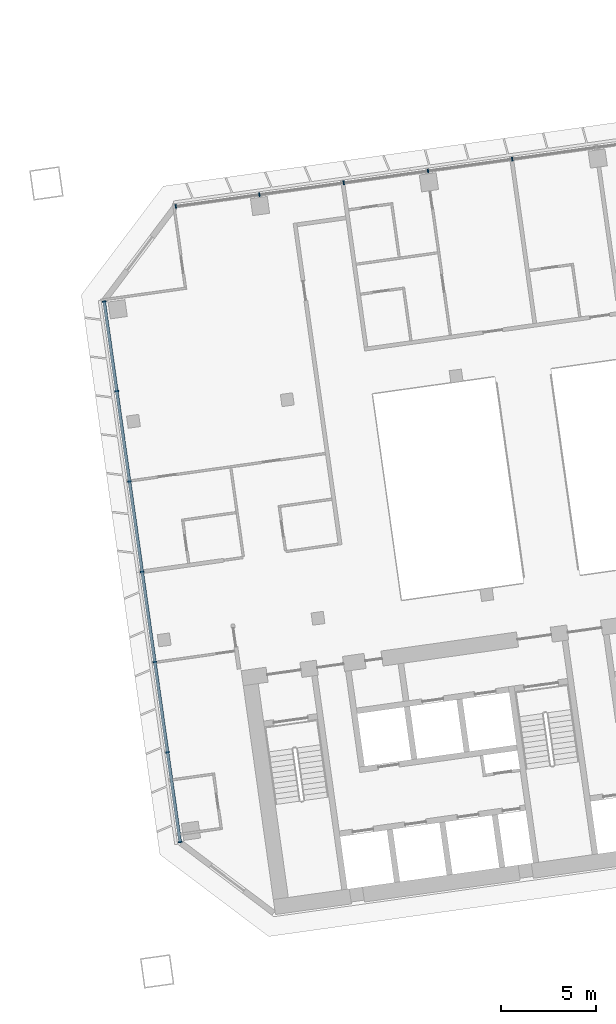
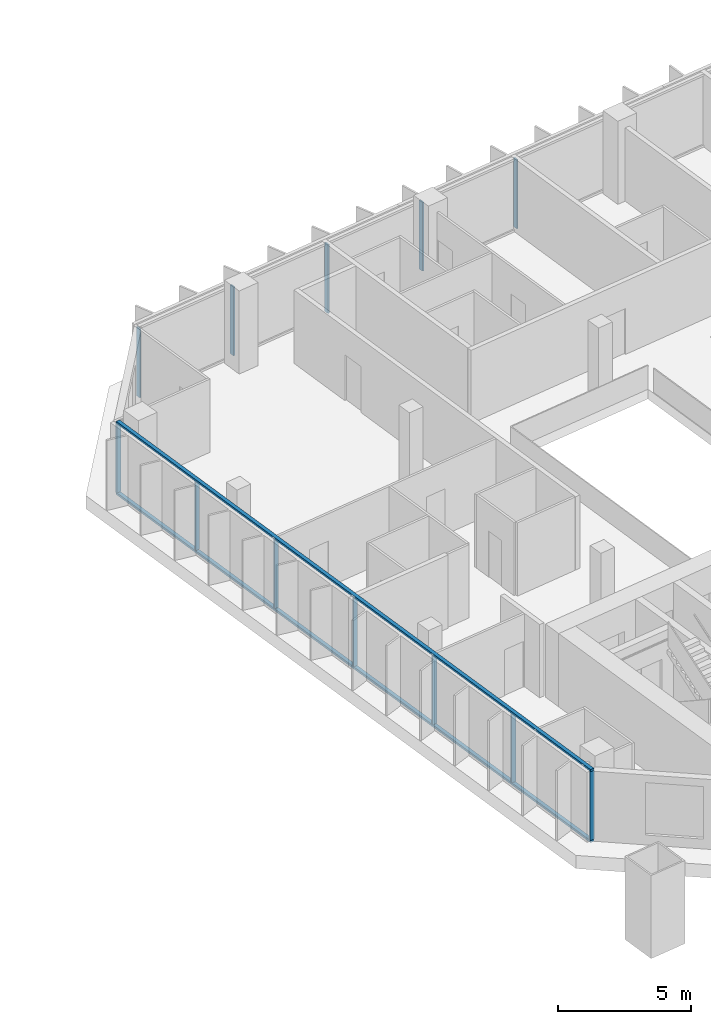
# One storey, part 7 of 24: 14 members, 2 elements without a shape of their own.
"""IFC4 building model written with IfcOpenShell, lengths in metres."""

from ifc_helpers import new_model, si_unit, direction, frame, origin, origin_2d, place, context, subcontext, project, spatial, rectangle, extrude, material, material_profile, profile_set, type_object, element, aggregate, save


model = new_model("IFC4")

# Units and contexts
model_context = context("Model", 3, precision=1e-05, world=origin(), true_north=direction((0.0, 1.0)))
body_context = subcontext(model_context, "Body", "Model", "MODEL_VIEW")
ifc_project = project(units=[si_unit("LENGTHUNIT", "METRE"), si_unit("AREAUNIT", "SQUARE_METRE"), si_unit("VOLUMEUNIT", "CUBIC_METRE"), si_unit("PLANEANGLEUNIT", "RADIAN"), si_unit("MASSUNIT", "GRAM", prefix="KILO")], contexts=[model_context])

# Site, building, storey
site_placement = place(None, origin())
site = spatial("IfcSite", under=ifc_project, at=site_placement, CompositionType="ELEMENT")
building_placement = place(site_placement, origin())
building = spatial("IfcBuilding", under=site, at=building_placement, Name="Mirante Cascada Hotel Towers", CompositionType="ELEMENT")
storey_placement = place(building_placement, frame((0.0, 0.0, 110.1)))
storey = spatial("IfcBuildingStorey", under=building, at=storey_placement, Name="L24", CompositionType="ELEMENT", Elevation=110.1)

# Curtain wall, members
ifc_material_1 = material(Name="Aluminium mullion and transom frame with clear laminated glass", Category="aluminium")
curtain_wall_type_1 = type_object("IfcCurtainWallType", Name="Ribbon curtain wall ECW1", PredefinedType="NOTDEFINED", material=ifc_material_1)
curtain_wall_1_placement = place(storey_placement, origin())
curtain_wall_1 = element("IfcCurtainWall", 1, at=curtain_wall_1_placement, inside=storey, type_object=curtain_wall_type_1, Name="Front ribbon wall T2 L24", PredefinedType="NOTDEFINED")
ifc_material_2 = material(Name="Anodised aluminium extrusion", Category="aluminium")
ifc_material_profile_1 = material_profile(ifc_material_2, rectangle(XDim=0.2, YDim=0.065, at=origin_2d()), Name="ECW1 MULLION 65x200")
ifc_profile_set_1 = profile_set([ifc_material_profile_1], Name="Anodised aluminium extrusion")
member_type_1 = type_object("IfcMemberType", Name="ECW1 mullion 65x200", PredefinedType="MULLION", material=ifc_profile_set_1)
member_1_placement = place(storey_placement, frame((49.684, 19.8017, 0.1), z_axis=(0.0, 0.0, 1.0), x_axis=(0.1391731, -0.9902681, 0.0)))
member_1 = element("IfcMember", 2, at=member_1_placement, type_object=member_type_1, Name="ECW1 mullion 11", PredefinedType="MULLION", context=body_context, shape_type="SweptSolid", body=[
    extrude(rectangle(XDim=0.2, YDim=0.065, at=origin_2d()), origin(), (0.0, 0.0, 1.0), 3.15),
])
member_2_placement = place(storey_placement, frame((45.2366, 19.1766, 0.1), z_axis=(0.0, 0.0, 1.0), x_axis=(0.1391731, -0.9902681, 0.0)))
member_2 = element("IfcMember", 3, at=member_2_placement, type_object=member_type_1, Name="ECW1 mullion 12", PredefinedType="MULLION", context=body_context, shape_type="SweptSolid", body=[
    extrude(rectangle(XDim=0.2, YDim=0.065, at=origin_2d()), origin(), (0.0, 0.0, 1.0), 3.15),
])
member_3_placement = place(storey_placement, frame((40.7892, 18.5516, 0.1), z_axis=(0.0, 0.0, 1.0), x_axis=(0.1391731, -0.9902681, 0.0)))
member_3 = element("IfcMember", 4, at=member_3_placement, type_object=member_type_1, Name="ECW1 mullion 13", PredefinedType="MULLION", context=body_context, shape_type="SweptSolid", body=[
    extrude(rectangle(XDim=0.2, YDim=0.065, at=origin_2d()), origin(), (0.0, 0.0, 1.0), 3.15),
])
member_4_placement = place(storey_placement, frame((36.3417, 17.9265, 0.1), z_axis=(0.0, 0.0, 1.0), x_axis=(0.1391731, -0.9902681, 0.0)))
member_4 = element("IfcMember", 5, at=member_4_placement, type_object=member_type_1, Name="ECW1 mullion 14", PredefinedType="MULLION", context=body_context, shape_type="SweptSolid", body=[
    extrude(rectangle(XDim=0.2, YDim=0.065, at=origin_2d()), origin(), (0.0, 0.0, 1.0), 3.15),
])
member_5_placement = place(storey_placement, frame((31.9265, 17.306, 0.1), z_axis=(0.0, 0.0, 1.0), x_axis=(0.1391731, -0.9902681, 0.0)))
member_5 = element("IfcMember", 6, at=member_5_placement, type_object=member_type_1, Name="ECW1 mullion 15", PredefinedType="MULLION", context=body_context, shape_type="SweptSolid", body=[
    extrude(rectangle(XDim=0.2, YDim=0.065, at=origin_2d()), origin(), (0.0, 0.0, 1.0), 3.15),
])
aggregate(curtain_wall_1, [member_1, member_2, member_3, member_4, member_5])

ifc_material_3 = material(Name="Aluminium mullion and transom frame with clear laminated glass", Category="aluminium")
curtain_wall_type_2 = type_object("IfcCurtainWallType", Name="End ribbon curtain wall ECW2", PredefinedType="NOTDEFINED", material=ifc_material_3)
curtain_wall_2_placement = place(storey_placement, origin())
curtain_wall_2 = element("IfcCurtainWall", 7, at=curtain_wall_2_placement, inside=storey, type_object=curtain_wall_type_2, Name="Inner end wall T2 L24", PredefinedType="NOTDEFINED")
ifc_material_4 = material(Name="Anodised aluminium extrusion", Category="aluminium")
ifc_material_profile_2 = material_profile(ifc_material_4, rectangle(XDim=0.2, YDim=0.065, at=origin_2d()), Name="ECW2 MULLION 65x200")
ifc_profile_set_2 = profile_set([ifc_material_profile_2], Name="Anodised aluminium extrusion")
member_type_2 = type_object("IfcMemberType", Name="ECW2 mullion 65x200", PredefinedType="MULLION", material=ifc_profile_set_2)
member_6_placement = place(storey_placement, frame((28.1437, 12.2861, 0.1), z_axis=(0.0, 0.0, 1.0), x_axis=(0.9902681, 0.1391731, 0.0)))
member_6 = element("IfcMember", 8, at=member_6_placement, type_object=member_type_2, Name="ECW2 mullion 1", PredefinedType="MULLION", context=body_context, shape_type="SweptSolid", body=[
    extrude(rectangle(XDim=0.2, YDim=0.065, at=origin_2d()), origin(), (0.0, 0.0, 1.0), 3.15),
])
member_7_placement = place(storey_placement, frame((28.809, 7.5524, 0.1), z_axis=(0.0, 0.0, 1.0), x_axis=(0.9902681, 0.1391731, 0.0)))
member_7 = element("IfcMember", 9, at=member_7_placement, type_object=member_type_2, Name="ECW2 mullion 2", PredefinedType="MULLION", context=body_context, shape_type="SweptSolid", body=[
    extrude(rectangle(XDim=0.2, YDim=0.065, at=origin_2d()), origin(), (0.0, 0.0, 1.0), 3.15),
])
member_8_placement = place(storey_placement, frame((29.4788, 2.7867, 0.1), z_axis=(0.0, 0.0, 1.0), x_axis=(0.9902681, 0.1391731, 0.0)))
member_8 = element("IfcMember", 10, at=member_8_placement, type_object=member_type_2, Name="ECW2 mullion 3", PredefinedType="MULLION", context=body_context, shape_type="SweptSolid", body=[
    extrude(rectangle(XDim=0.2, YDim=0.065, at=origin_2d()), origin(), (0.0, 0.0, 1.0), 3.15),
])
member_9_placement = place(storey_placement, frame((30.1485, -1.9791, 0.1), z_axis=(0.0, 0.0, 1.0), x_axis=(0.9902681, 0.1391731, 0.0)))
member_9 = element("IfcMember", 11, at=member_9_placement, type_object=member_type_2, Name="ECW2 mullion 4", PredefinedType="MULLION", context=body_context, shape_type="SweptSolid", body=[
    extrude(rectangle(XDim=0.2, YDim=0.065, at=origin_2d()), origin(), (0.0, 0.0, 1.0), 3.15),
])
member_10_placement = place(storey_placement, frame((30.8183, -6.7449, 0.1), z_axis=(0.0, 0.0, 1.0), x_axis=(0.9902681, 0.1391731, 0.0)))
member_10 = element("IfcMember", 12, at=member_10_placement, type_object=member_type_2, Name="ECW2 mullion 5", PredefinedType="MULLION", context=body_context, shape_type="SweptSolid", body=[
    extrude(rectangle(XDim=0.2, YDim=0.065, at=origin_2d()), origin(), (0.0, 0.0, 1.0), 3.15),
])
member_11_placement = place(storey_placement, frame((31.4881, -11.5107, 0.1), z_axis=(0.0, 0.0, 1.0), x_axis=(0.9902681, 0.1391731, 0.0)))
member_11 = element("IfcMember", 13, at=member_11_placement, type_object=member_type_2, Name="ECW2 mullion 6", PredefinedType="MULLION", context=body_context, shape_type="SweptSolid", body=[
    extrude(rectangle(XDim=0.2, YDim=0.065, at=origin_2d()), origin(), (0.0, 0.0, 1.0), 3.15),
])
member_12_placement = place(storey_placement, frame((32.1534, -16.2443, 0.1), z_axis=(0.0, 0.0, 1.0), x_axis=(0.9902681, 0.1391731, 0.0)))
member_12 = element("IfcMember", 14, at=member_12_placement, type_object=member_type_2, Name="ECW2 mullion 7", PredefinedType="MULLION", context=body_context, shape_type="SweptSolid", body=[
    extrude(rectangle(XDim=0.2, YDim=0.065, at=origin_2d()), origin(), (0.0, 0.0, 1.0), 3.15),
])
ifc_material_5 = material(Name="Anodised aluminium extrusion", Category="aluminium")
ifc_material_profile_3 = material_profile(ifc_material_5, rectangle(XDim=0.16, YDim=0.1, at=origin_2d()), Name="ECW2 TRANSOM 100x160")
ifc_profile_set_3 = profile_set([ifc_material_profile_3], Name="Anodised aluminium extrusion")
member_type_3 = type_object("IfcMemberType", Name="ECW2 transom 100x160", PredefinedType="USERDEFINED", material=ifc_profile_set_3)
member_13_placement = place(storey_placement, frame((28.1392, 12.3182, 0.05), z_axis=(0.1391723, -0.9902682, 0.0), x_axis=(0.9902682, 0.1391723, 0.0)))
member_13 = element("IfcMember", 15, at=member_13_placement, type_object=member_type_3, Name="ECW2 sill transom", ObjectType="TRANSOM", PredefinedType="USERDEFINED", context=body_context, shape_type="SweptSolid", body=[
    extrude(rectangle(XDim=0.16, YDim=0.1, at=origin_2d()), origin(), (0.0, 0.0, 1.0), 28.8757),
])
member_14_placement = place(storey_placement, frame((28.1392, 12.3182, 3.3), z_axis=(0.1391723, -0.9902682, 0.0), x_axis=(0.9902682, 0.1391723, 0.0)))
member_14 = element("IfcMember", 16, at=member_14_placement, type_object=member_type_3, Name="ECW2 head transom", ObjectType="TRANSOM", PredefinedType="USERDEFINED", context=body_context, shape_type="SweptSolid", body=[
    extrude(rectangle(XDim=0.16, YDim=0.1, at=origin_2d()), origin(), (0.0, 0.0, 1.0), 28.8757),
])
aggregate(curtain_wall_2, [member_13, member_14, member_6, member_7, member_8, member_9, member_10, member_11, member_12])

save(model, "model.ifc")
